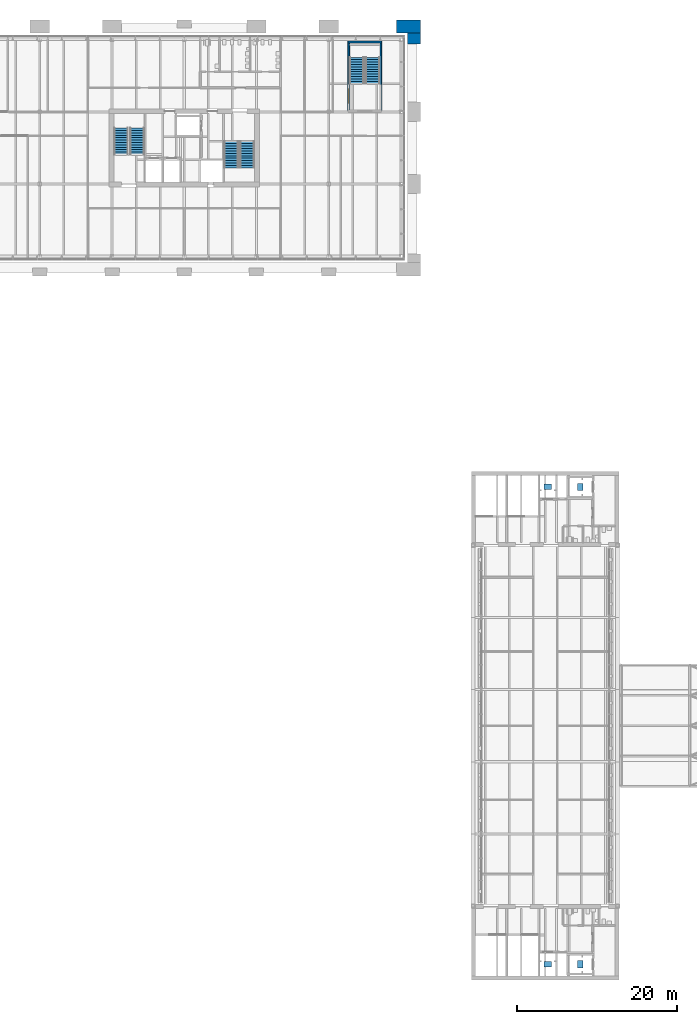
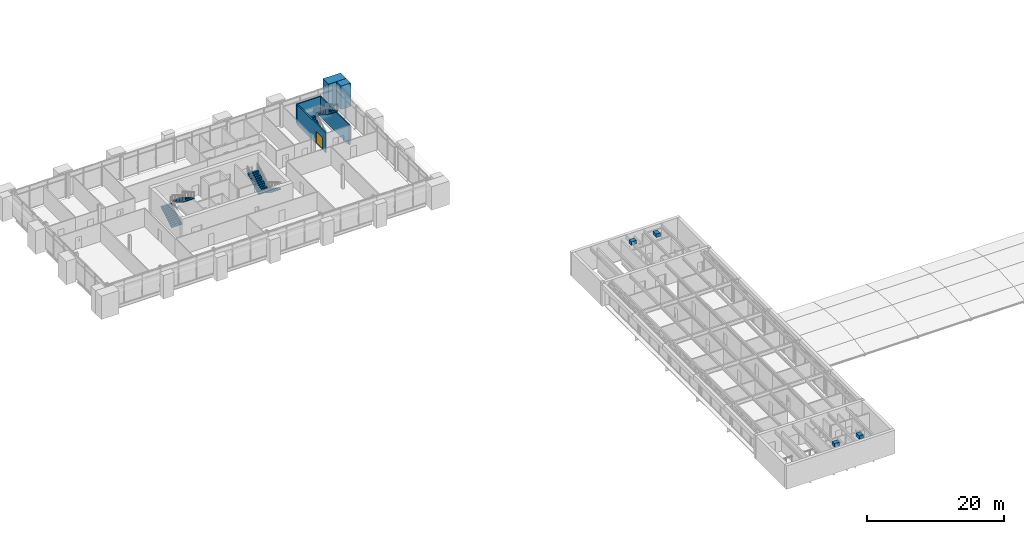
# One storey, part 26 of 43: 6 stair flights, 5 walls, 4 discrete accessories, 1 door, 1 opening, 3 elements without a shape of their own.
"""IFC4 building model written with IfcOpenShell, lengths in metres."""

from ifc_helpers import new_model, si_unit, direction, frame, frame_2d, origin, origin_2d, place, context, subcontext, project, spatial, polyline, rectangle, outline, extrude, material, layer, layer_set, type_object, element, fill, aggregate, save


model = new_model("IFC4")

# Units and contexts
model_context = context("Model", 3, precision=1e-05, world=origin(), true_north=direction((0.0, 1.0)))
body_context = subcontext(model_context, "Body", "Model", "MODEL_VIEW")
ifc_project = project(units=[si_unit("LENGTHUNIT", "METRE"), si_unit("AREAUNIT", "SQUARE_METRE"), si_unit("VOLUMEUNIT", "CUBIC_METRE"), si_unit("PLANEANGLEUNIT", "RADIAN"), si_unit("MASSUNIT", "GRAM", prefix="KILO")], contexts=[model_context])

# Site, building, storey
site_placement = place(None, origin())
site = spatial("IfcSite", under=ifc_project, at=site_placement, CompositionType="ELEMENT")
building_placement = place(site_placement, origin())
building = spatial("IfcBuilding", under=site, at=building_placement, Name="Baradari Gate Terminus", CompositionType="ELEMENT")
storey_placement = place(building_placement, frame((0.0, 0.0, 20.10009765625)))
storey = spatial("IfcBuildingStorey", under=building, at=storey_placement, Name="L04", CompositionType="ELEMENT", Elevation=20.10009765625)

# Walls
ifc_material_1 = material(Name="Concrete C40/50 precast", Category="concrete")
ifc_layer_1 = layer(ifc_material_1, 1.55)
ifc_material_2 = material(Name="Sandstone cladding", Category="masonry")
ifc_layer_2 = layer(ifc_material_2, 0.1)
ifc_layer_set_1 = layer_set([ifc_layer_1, ifc_layer_2], Name="Concrete C40/50 precast")
wall_type_1 = type_object("IfcWallType", Name="Sandstone-faced precast frame pier WQ-4 1650", PredefinedType="SOLIDWALL", material=ifc_layer_set_1)
wall_1_placement = place(storey_placement, frame((62.445068359375, 145.6201171875, 0.0), z_axis=(0.0, 0.0, 1.0), x_axis=(1.0, 0.0, 0.0)))
element("IfcWall", 1, at=wall_1_placement, inside=storey, type_object=wall_type_1, Name="Corner pilaster NE leg A L04", PredefinedType="SOLIDWALL", context=body_context, shape_type="SweptSolid", body=[
    extrude(rectangle(XDim=3.0, YDim=1.64990234375, at=frame_2d((1.5, 0.0))), origin(), (0.0, 0.0, 1.0), 4.199951171875),
])
wall_2_placement = place(storey_placement, frame((64.6201171875, 143.445068359375, 0.0), z_axis=(0.0, 0.0, 1.0), x_axis=(0.0, 1.0, 0.0)))
element("IfcWall", 2, at=wall_2_placement, inside=storey, type_object=wall_type_1, Name="Corner pilaster NE leg B L04", PredefinedType="SOLIDWALL", context=body_context, shape_type="SweptSolid", body=[
    extrude(rectangle(XDim=1.349853515625, YDim=1.64990234375, at=frame_2d((0.6748046875, 0.0))), origin(), (0.0, 0.0, 1.0), 4.199951171875),
])
ifc_material_3 = material(Name="Concrete C40/50", Category="concrete")
ifc_layer_3 = layer(ifc_material_3, 0.199951171875)
ifc_layer_set_2 = layer_set([ifc_layer_3], Name="Concrete C40/50")
wall_type_2 = type_object("IfcWallType", Name="Stair enclosure wall SE-2 200 EI 120", PredefinedType="SOLIDWALL", material=ifc_layer_set_2)
wall_3_placement = place(storey_placement, frame((56.39990234375, 143.699951171875, 0.0), z_axis=(0.0, 0.0, 1.0), x_axis=(1.0, 0.0, 0.0)))
element("IfcWall", 3, at=wall_3_placement, inside=storey, type_object=wall_type_2, Name="Stair enclosure wall SE-2 ST-T3 L04 N", PredefinedType="SOLIDWALL", context=body_context, shape_type="SweptSolid", body=[
    extrude(rectangle(XDim=4.2001953125, YDim=0.199951171875, at=frame_2d((2.10009765625, 0.0))), origin(), (0.0, 0.0, 1.0), 3.456787109375),
])

# Wall, opening, door
wall_4_placement = place(storey_placement, frame((56.5, 135.199951171875, -0.130126953125), z_axis=(0.0, 0.0, 1.0), x_axis=(0.0, 1.0, 0.0)))
wall_4 = element("IfcWall", 4, at=wall_4_placement, inside=storey, type_object=wall_type_2, Name="Stair enclosure wall SE-2 ST-T3 L04 W", PredefinedType="SOLIDWALL", context=body_context, shape_type="SweptSolid", body=[
    extrude(rectangle(XDim=8.400146484375, YDim=0.199951171875, at=frame_2d((4.2001953125, 0.0))), origin(), (0.0, 0.0, 1.0), 3.5869140625),
])
opening_placement = place(wall_4_placement, frame((0.89990234375, 0.0, 0.1298828125)))
opening = element("IfcOpeningElement", 5, at=opening_placement, cuts=wall_4, Name="Opening D04-013", PredefinedType="OPENING", context=body_context, shape_type="SweptSolid", body=[
    extrude(rectangle(XDim=1.800048828125, YDim=2.10009765625, at=frame_2d((0.89990234375, 1.050048828125))), frame((0.0, 0.10986328125, 0.0), z_axis=(0.0, -1.0, 0.0), x_axis=(1.0, 0.0, 0.0)), (0.0, 0.0, 1.0), 0.219970703125),
])
ifc_material_4 = material(Name="Steel S275", Category="steel")
door_type = type_object("IfcDoorType", Name="Fire door FI-1800-FD90S 1800x2100 FD90S", OperationType="DOUBLE_DOOR_SINGLE_SWING", PredefinedType="DOOR", material=ifc_material_4)
door_placement = place(opening_placement, frame((1.800048828125, 0.0, 0.0), z_axis=(0.0, 0.0, 1.0), x_axis=(-1.0, 0.0, 0.0)))
door = element("IfcDoor", 6, at=door_placement, inside=storey, type_object=door_type, Name="Door Stair (East Core)", OperationType="DOUBLE_DOOR_SINGLE_SWING", OverallHeight=2.1, OverallWidth=1.8, PredefinedType="DOOR", context=body_context, shape_type="SweptSolid", body=[
    extrude(outline(polyline([(0.0, 0.0), (0.070068359375, 0.0), (0.070068359375, 2.030029296875), (1.72998046875, 2.030029296875), (1.72998046875, 0.0), (1.800048828125, 0.0), (1.800048828125, 2.10009765625), (0.0, 2.10009765625), (0.0, 0.0)])), frame((0.0, 0.02490234375, 0.0), z_axis=(0.0, -1.0, 0.0), x_axis=(1.0, 0.0, 0.0)), (0.0, 0.0, 1.0), 0.050048828125),
    extrude(outline(polyline([(0.073974609375, 0.010009765625), (0.89697265625, 0.010009765625), (0.89697265625, 2.026123046875), (0.073974609375, 2.026123046875), (0.073974609375, 0.010009765625)]), holes=[polyline([(0.194091796875, 0.159912109375), (0.77685546875, 0.159912109375), (0.77685546875, 1.010009765625), (0.194091796875, 1.010009765625), (0.194091796875, 0.159912109375)]), polyline([(0.33544921875, 1.159912109375), (0.635498046875, 1.159912109375), (0.635498046875, 1.760009765625), (0.33544921875, 1.760009765625), (0.33544921875, 1.159912109375)])]), frame((0.0, 0.017333984375, 0.0), z_axis=(0.0, -1.0, 0.0), x_axis=(1.0, 0.0, 0.0)), (0.0, 0.0, 1.0), 0.034912109375),
    extrude(rectangle(XDim=0.582763671875, YDim=0.85009765625, at=frame_2d((0.4853515625, 0.5849609375))), frame((0.0, 0.008544921875, 0.0), z_axis=(0.0, -1.0, 0.0), x_axis=(1.0, 0.0, 0.0)), (0.0, 0.0, 1.0), 0.017333984375),
    extrude(rectangle(XDim=0.300048828125, YDim=0.60009765625, at=frame_2d((0.4853515625, 1.4599609375))), frame((0.0, 0.005859375, 0.0), z_axis=(0.0, -1.0, 0.0), x_axis=(1.0, 0.0, 0.0)), (0.0, 0.0, 1.0), 0.011962890625),
    extrude(outline(polyline([(0.903076171875, 0.010009765625), (1.72607421875, 0.010009765625), (1.72607421875, 2.026123046875), (0.903076171875, 2.026123046875), (0.903076171875, 0.010009765625)]), holes=[polyline([(1.023193359375, 0.159912109375), (1.60595703125, 0.159912109375), (1.60595703125, 1.010009765625), (1.023193359375, 1.010009765625), (1.023193359375, 0.159912109375)]), polyline([(1.16455078125, 1.159912109375), (1.464599609375, 1.159912109375), (1.464599609375, 1.760009765625), (1.16455078125, 1.760009765625), (1.16455078125, 1.159912109375)])]), frame((0.0, 0.017333984375, 0.0), z_axis=(0.0, -1.0, 0.0), x_axis=(1.0, 0.0, 0.0)), (0.0, 0.0, 1.0), 0.034912109375),
    extrude(rectangle(XDim=0.582763671875, YDim=0.85009765625, at=frame_2d((1.314453125, 0.5849609375))), frame((0.0, 0.008544921875, 0.0), z_axis=(0.0, -1.0, 0.0), x_axis=(1.0, 0.0, 0.0)), (0.0, 0.0, 1.0), 0.017333984375),
    extrude(rectangle(XDim=0.300048828125, YDim=0.60009765625, at=frame_2d((1.314453125, 1.4599609375))), frame((0.0, 0.005859375, 0.0), z_axis=(0.0, -1.0, 0.0), x_axis=(1.0, 0.0, 0.0)), (0.0, 0.0, 1.0), 0.011962890625),
])
fill(opening, door)

# Wall
wall_5_placement = place(storey_placement, frame((60.5, 135.199951171875, -0.130126953125), z_axis=(0.0, 0.0, 1.0), x_axis=(0.0, 1.0, 0.0)))
element("IfcWall", 7, at=wall_5_placement, inside=storey, type_object=wall_type_2, Name="Stair enclosure wall SE-2 ST-T3 L04 E", PredefinedType="SOLIDWALL", context=body_context, shape_type="SweptSolid", body=[
    extrude(rectangle(XDim=8.400146484375, YDim=0.199951171875, at=frame_2d((4.2001953125, 0.0))), origin(), (0.0, 0.0, 1.0), 3.5869140625),
])

# Stair, stair flights
ifc_material_5 = material(Name="Concrete C32/40", Category="concrete")
stair_type_1 = type_object("IfcStairType", Name="Exit stair ST-T1 riser 175 x 1800", PredefinedType="HALF_TURN_STAIR", material=ifc_material_5)
stair_1_placement = place(storey_placement, origin())
stair_1 = element("IfcStair", 8, at=stair_1_placement, inside=storey, type_object=stair_type_1, Name="Stair ST-T1 L04 to L05", PredefinedType="HALF_TURN_STAIR")
ifc_material_6 = material(Name="Concrete C32/40", Category="concrete")
stair_flight_type = type_object("IfcStairFlightType", Name="Stair flight 175/300 x 1800", PredefinedType="STRAIGHT", material=ifc_material_6)
stair_flight_1_placement = place(storey_placement, frame((28.125, 129.675048828125, 0.0), z_axis=(0.0, 0.0, 1.0), x_axis=(0.0, 1.0, 0.0)))
stair_flight_1 = element("IfcStairFlight", 9, at=stair_flight_1_placement, type_object=stair_flight_type, Name="ST-T1 flight 1", NumberOfRisers=12, NumberOfTreads=11, PredefinedType="STRAIGHT", RiserHeight=0.175, TreadLength=0.3, context=body_context, shape_type="SweptSolid", body=[
    extrude(outline(polyline([(0.0, 0.0), (0.0, 0.175048828125), (0.300048828125, 0.175048828125), (0.300048828125, 0.35009765625), (0.60009765625, 0.35009765625), (0.60009765625, 0.52490234375), (0.89990234375, 0.52490234375), (0.89990234375, 0.699951171875), (1.199951171875, 0.699951171875), (1.199951171875, 0.875), (1.5, 0.875), (1.5, 1.050048828125), (1.800048828125, 1.050048828125), (1.800048828125, 1.22509765625), (2.10009765625, 1.22509765625), (2.10009765625, 1.39990234375), (2.39990234375, 1.39990234375), (2.39990234375, 1.574951171875), (2.699951171875, 1.574951171875), (2.699951171875, 1.75), (3.0, 1.75), (3.0, 1.925048828125), (3.300048828125, 1.925048828125), (3.300048828125, 2.10009765625), (3.300048828125, 1.75146484375), (0.297607421875, 0.0), (0.0, 0.0)])), frame((0.0, 0.89990234375, 0.0), z_axis=(0.0, -1.0, 0.0), x_axis=(1.0, 0.0, 0.0)), (0.0, 0.0, 1.0), 1.800048828125),
])
stair_flight_2_placement = place(storey_placement, frame((30.125, 132.97509765625, 2.099853515625), z_axis=(0.0, 0.0, 1.0), x_axis=(0.0, -1.0, 0.0)))
stair_flight_2 = element("IfcStairFlight", 10, at=stair_flight_2_placement, type_object=stair_flight_type, Name="ST-T1 flight 2", NumberOfRisers=12, NumberOfTreads=11, PredefinedType="STRAIGHT", RiserHeight=0.175, TreadLength=0.3, context=body_context, shape_type="SweptSolid", body=[
    extrude(outline(polyline([(0.0, 0.0), (0.0, 0.175048828125), (0.300048828125, 0.175048828125), (0.300048828125, 0.35009765625), (0.60009765625, 0.35009765625), (0.60009765625, 0.52490234375), (0.89990234375, 0.52490234375), (0.89990234375, 0.699951171875), (1.199951171875, 0.699951171875), (1.199951171875, 0.875), (1.5, 0.875), (1.5, 1.050048828125), (1.800048828125, 1.050048828125), (1.800048828125, 1.22509765625), (2.10009765625, 1.22509765625), (2.10009765625, 1.39990234375), (2.39990234375, 1.39990234375), (2.39990234375, 1.574951171875), (2.699951171875, 1.574951171875), (2.699951171875, 1.75), (3.0, 1.75), (3.0, 1.925048828125), (3.300048828125, 1.925048828125), (3.300048828125, 2.10009765625), (3.300048828125, 1.75146484375), (0.297607421875, 0.0), (0.0, 0.0)])), frame((0.0, 0.89990234375, 0.0), z_axis=(0.0, -1.0, 0.0), x_axis=(1.0, 0.0, 0.0)), (0.0, 0.0, 1.0), 1.800048828125),
])
aggregate(stair_1, [stair_flight_1, stair_flight_2])

ifc_material_7 = material(Name="Concrete C32/40", Category="concrete")
stair_type_2 = type_object("IfcStairType", Name="Exit stair ST-T2 riser 175 x 1800", PredefinedType="HALF_TURN_STAIR", material=ifc_material_7)
stair_2_placement = place(storey_placement, origin())
stair_2 = element("IfcStair", 11, at=stair_2_placement, inside=storey, type_object=stair_type_2, Name="Stair ST-T2 L04 to L05", PredefinedType="HALF_TURN_STAIR")
stair_flight_3_placement = place(storey_placement, frame((43.875, 131.324951171875, 0.0), z_axis=(0.0, 0.0, 1.0), x_axis=(0.0, -1.0, 0.0)))
stair_flight_3 = element("IfcStairFlight", 12, at=stair_flight_3_placement, type_object=stair_flight_type, Name="ST-T2 flight 1", NumberOfRisers=12, NumberOfTreads=11, PredefinedType="STRAIGHT", RiserHeight=0.175, TreadLength=0.3, context=body_context, shape_type="SweptSolid", body=[
    extrude(outline(polyline([(0.0, 0.0), (0.0, 0.175048828125), (0.300048828125, 0.175048828125), (0.300048828125, 0.35009765625), (0.60009765625, 0.35009765625), (0.60009765625, 0.52490234375), (0.89990234375, 0.52490234375), (0.89990234375, 0.699951171875), (1.199951171875, 0.699951171875), (1.199951171875, 0.875), (1.5, 0.875), (1.5, 1.050048828125), (1.800048828125, 1.050048828125), (1.800048828125, 1.22509765625), (2.10009765625, 1.22509765625), (2.10009765625, 1.39990234375), (2.39990234375, 1.39990234375), (2.39990234375, 1.574951171875), (2.699951171875, 1.574951171875), (2.699951171875, 1.75), (3.0, 1.75), (3.0, 1.925048828125), (3.300048828125, 1.925048828125), (3.300048828125, 2.10009765625), (3.300048828125, 1.75146484375), (0.297607421875, 0.0), (0.0, 0.0)])), frame((0.0, 0.89990234375, 0.0), z_axis=(0.0, -1.0, 0.0), x_axis=(1.0, 0.0, 0.0)), (0.0, 0.0, 1.0), 1.800048828125),
])
stair_flight_4_placement = place(storey_placement, frame((41.875, 128.02490234375, 2.099853515625), z_axis=(0.0, 0.0, 1.0), x_axis=(0.0, 1.0, 0.0)))
stair_flight_4 = element("IfcStairFlight", 13, at=stair_flight_4_placement, type_object=stair_flight_type, Name="ST-T2 flight 2", NumberOfRisers=12, NumberOfTreads=11, PredefinedType="STRAIGHT", RiserHeight=0.175, TreadLength=0.3, context=body_context, shape_type="SweptSolid", body=[
    extrude(outline(polyline([(0.0, 0.0), (0.0, 0.175048828125), (0.300048828125, 0.175048828125), (0.300048828125, 0.35009765625), (0.60009765625, 0.35009765625), (0.60009765625, 0.52490234375), (0.89990234375, 0.52490234375), (0.89990234375, 0.699951171875), (1.199951171875, 0.699951171875), (1.199951171875, 0.875), (1.5, 0.875), (1.5, 1.050048828125), (1.800048828125, 1.050048828125), (1.800048828125, 1.22509765625), (2.10009765625, 1.22509765625), (2.10009765625, 1.39990234375), (2.39990234375, 1.39990234375), (2.39990234375, 1.574951171875), (2.699951171875, 1.574951171875), (2.699951171875, 1.75), (3.0, 1.75), (3.0, 1.925048828125), (3.300048828125, 1.925048828125), (3.300048828125, 2.10009765625), (3.300048828125, 1.75146484375), (0.297607421875, 0.0), (0.0, 0.0)])), frame((0.0, 0.89990234375, 0.0), z_axis=(0.0, -1.0, 0.0), x_axis=(1.0, 0.0, 0.0)), (0.0, 0.0, 1.0), 1.800048828125),
])
aggregate(stair_2, [stair_flight_3, stair_flight_4])

ifc_material_8 = material(Name="Concrete C32/40", Category="concrete")
stair_type_3 = type_object("IfcStairType", Name="Exit stair ST-T3 riser 175 x 1800", PredefinedType="HALF_TURN_STAIR", material=ifc_material_8)
stair_3_placement = place(storey_placement, origin())
stair_3 = element("IfcStair", 14, at=stair_3_placement, inside=storey, type_object=stair_type_3, Name="Stair ST-T3 L04 to L05", PredefinedType="HALF_TURN_STAIR")
stair_flight_5_placement = place(storey_placement, frame((57.5, 138.5, 0.0), z_axis=(0.0, 0.0, 1.0), x_axis=(0.0, 1.0, 0.0)))
stair_flight_5 = element("IfcStairFlight", 15, at=stair_flight_5_placement, type_object=stair_flight_type, Name="ST-T3 flight 1", NumberOfRisers=12, NumberOfTreads=11, PredefinedType="STRAIGHT", RiserHeight=0.175, TreadLength=0.3, context=body_context, shape_type="SweptSolid", body=[
    extrude(outline(polyline([(0.0, 0.0), (0.0, 0.175048828125), (0.300048828125, 0.175048828125), (0.300048828125, 0.35009765625), (0.60009765625, 0.35009765625), (0.60009765625, 0.52490234375), (0.89990234375, 0.52490234375), (0.89990234375, 0.699951171875), (1.199951171875, 0.699951171875), (1.199951171875, 0.875), (1.5, 0.875), (1.5, 1.050048828125), (1.800048828125, 1.050048828125), (1.800048828125, 1.22509765625), (2.10009765625, 1.22509765625), (2.10009765625, 1.39990234375), (2.39990234375, 1.39990234375), (2.39990234375, 1.574951171875), (2.699951171875, 1.574951171875), (2.699951171875, 1.75), (3.0, 1.75), (3.0, 1.925048828125), (3.300048828125, 1.925048828125), (3.300048828125, 2.10009765625), (3.300048828125, 1.75146484375), (0.297607421875, 0.0), (0.0, 0.0)])), frame((0.0, 0.89990234375, 0.0), z_axis=(0.0, -1.0, 0.0), x_axis=(1.0, 0.0, 0.0)), (0.0, 0.0, 1.0), 1.800048828125),
])
stair_flight_6_placement = place(storey_placement, frame((59.5, 141.800048828125, 2.099853515625), z_axis=(0.0, 0.0, 1.0), x_axis=(0.0, -1.0, 0.0)))
stair_flight_6 = element("IfcStairFlight", 16, at=stair_flight_6_placement, type_object=stair_flight_type, Name="ST-T3 flight 2", NumberOfRisers=12, NumberOfTreads=11, PredefinedType="STRAIGHT", RiserHeight=0.175, TreadLength=0.3, context=body_context, shape_type="SweptSolid", body=[
    extrude(outline(polyline([(0.0, 0.0), (0.0, 0.175048828125), (0.300048828125, 0.175048828125), (0.300048828125, 0.35009765625), (0.60009765625, 0.35009765625), (0.60009765625, 0.52490234375), (0.89990234375, 0.52490234375), (0.89990234375, 0.699951171875), (1.199951171875, 0.699951171875), (1.199951171875, 0.875), (1.5, 0.875), (1.5, 1.050048828125), (1.800048828125, 1.050048828125), (1.800048828125, 1.22509765625), (2.10009765625, 1.22509765625), (2.10009765625, 1.39990234375), (2.39990234375, 1.39990234375), (2.39990234375, 1.574951171875), (2.699951171875, 1.574951171875), (2.699951171875, 1.75), (3.0, 1.75), (3.0, 1.925048828125), (3.300048828125, 1.925048828125), (3.300048828125, 2.10009765625), (3.300048828125, 1.75146484375), (0.297607421875, 0.0), (0.0, 0.0)])), frame((0.0, 0.89990234375, 0.0), z_axis=(0.0, -1.0, 0.0), x_axis=(1.0, 0.0, 0.0)), (0.0, 0.0, 1.0), 1.800048828125),
])
aggregate(stair_3, [stair_flight_5, stair_flight_6])

# Discrete accessories
ifc_material_9 = material(Name="Steel S355", Category="steel")
discrete_accessory_type = type_object("IfcDiscreteAccessoryType", Name="Lift machine LM-1 900x700x600", PredefinedType="SHOE", material=ifc_material_9)
discrete_accessory_1_placement = place(storey_placement, frame((81.300048828125, 88.25, 3.449951171875), z_axis=(0.0, 0.0, 1.0), x_axis=(1.0, 0.0, 0.0)))
element("IfcDiscreteAccessory", 17, at=discrete_accessory_1_placement, inside=storey, type_object=discrete_accessory_type, Name="Lift machine LGN1", PredefinedType="SHOE", context=body_context, shape_type="SweptSolid", body=[
    extrude(rectangle(XDim=0.89990234375, YDim=0.699951171875, at=origin_2d()), origin(), (0.0, 0.0, 1.0), 0.60009765625),
])
discrete_accessory_2_placement = place(storey_placement, frame((85.35009765625, 88.25, 3.449951171875), z_axis=(0.0, 0.0, 1.0), x_axis=(1.0, 0.0, 0.0)))
element("IfcDiscreteAccessory", 18, at=discrete_accessory_2_placement, inside=storey, type_object=discrete_accessory_type, Name="Lift machine LGN2", PredefinedType="SHOE", context=body_context, shape_type="SweptSolid", body=[
    extrude(rectangle(XDim=0.699951171875, YDim=0.89990234375, at=origin_2d()), origin(), (0.0, 0.0, 1.0), 0.60009765625),
])
discrete_accessory_3_placement = place(storey_placement, frame((81.300048828125, 28.75, 3.449951171875), z_axis=(0.0, 0.0, 1.0), x_axis=(1.0, 0.0, 0.0)))
element("IfcDiscreteAccessory", 19, at=discrete_accessory_3_placement, inside=storey, type_object=discrete_accessory_type, Name="Lift machine LGS1", PredefinedType="SHOE", context=body_context, shape_type="SweptSolid", body=[
    extrude(rectangle(XDim=0.89990234375, YDim=0.699951171875, at=origin_2d()), origin(), (0.0, 0.0, 1.0), 0.60009765625),
])
discrete_accessory_4_placement = place(storey_placement, frame((85.35009765625, 28.75, 3.449951171875), z_axis=(0.0, 0.0, 1.0), x_axis=(1.0, 0.0, 0.0)))
element("IfcDiscreteAccessory", 20, at=discrete_accessory_4_placement, inside=storey, type_object=discrete_accessory_type, Name="Lift machine LGS2", PredefinedType="SHOE", context=body_context, shape_type="SweptSolid", body=[
    extrude(rectangle(XDim=0.699951171875, YDim=0.89990234375, at=origin_2d()), origin(), (0.0, 0.0, 1.0), 0.60009765625),
])

save(model, "model.ifc")
